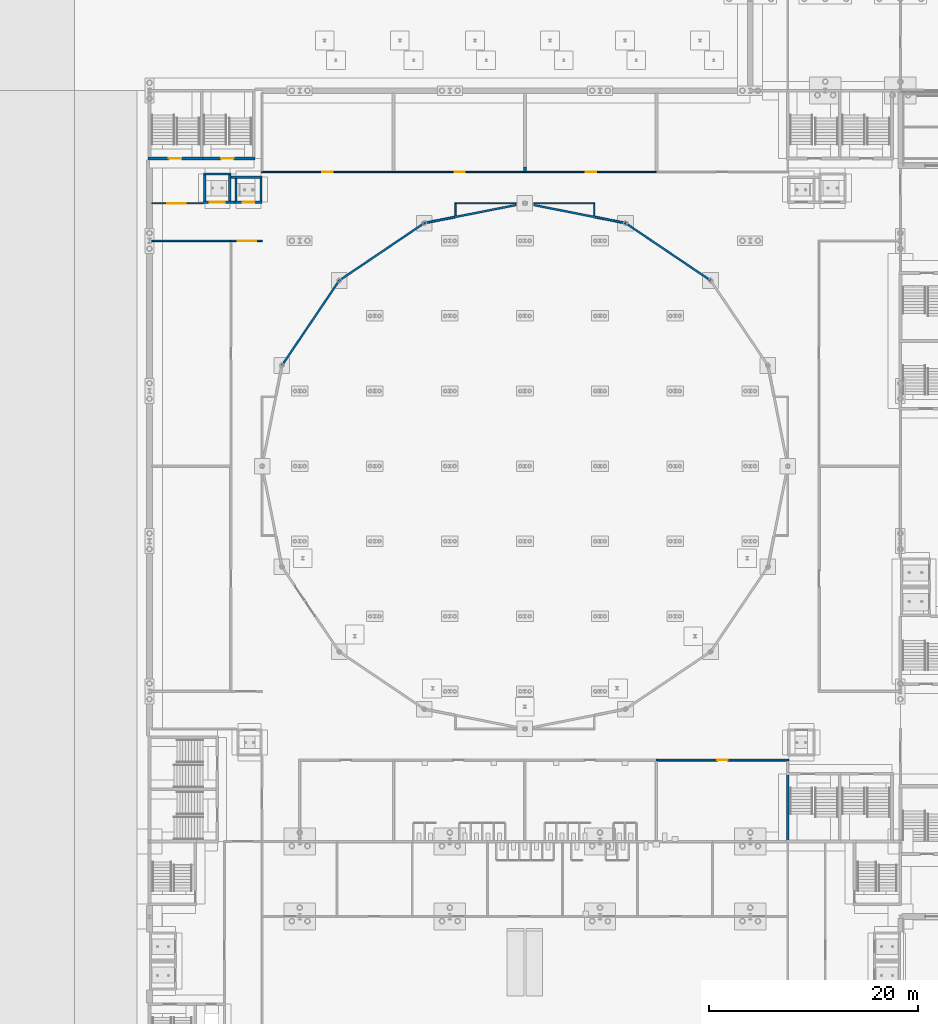
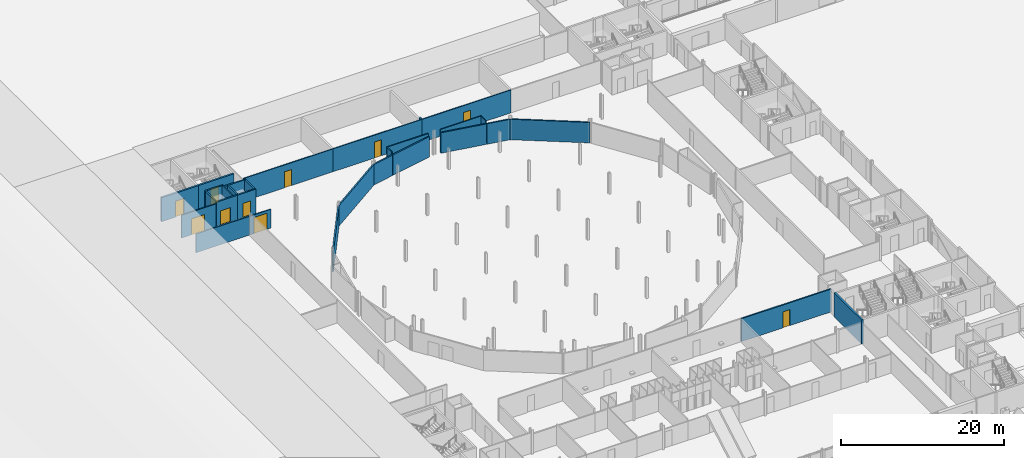
# One storey, part 82 of 148: 30 walls, 10 doors, 10 openings.
"""IFC4 building model written with IfcOpenShell, lengths in metres."""

from ifc_helpers import new_model, si_unit, direction, frame, frame_2d, origin, place, context, subcontext, project, spatial, rectangle, extrude, material, layer, layer_set, type_object, element, fill, save


model = new_model("IFC4")

# Units and contexts
model_context = context("Model", 3, precision=1e-05, world=origin(), true_north=direction((0.0, 1.0)))
body_context = subcontext(model_context, "Body", "Model", "MODEL_VIEW")
ifc_project = project(units=[si_unit("LENGTHUNIT", "METRE"), si_unit("AREAUNIT", "SQUARE_METRE"), si_unit("VOLUMEUNIT", "CUBIC_METRE"), si_unit("PLANEANGLEUNIT", "RADIAN"), si_unit("MASSUNIT", "GRAM", prefix="KILO")], contexts=[model_context])

# Site, building, storey
site_placement = place(None, origin())
site = spatial("IfcSite", under=ifc_project, at=site_placement, CompositionType="ELEMENT")
building_placement = place(site_placement, origin())
building = spatial("IfcBuilding", under=site, at=building_placement, Name="Kupolbacken Congress Centre", CompositionType="ELEMENT")
storey_placement = place(building_placement, origin())
storey = spatial("IfcBuildingStorey", under=building, at=storey_placement, Name="L00", CompositionType="ELEMENT", Elevation=0.0)

# Wall, opening, door
ifc_material_1 = material(Name="Gypsum board", Category="drywall")
ifc_layer_1 = layer(ifc_material_1, 0.135009765625)
ifc_layer_set_1 = layer_set([ifc_layer_1], Name="Gypsum board")
wall_type_1 = type_object("IfcWallType", Name="P06 compartment wall 135", PredefinedType="PARTITIONING", material=ifc_layer_set_1)
wall_1_placement = place(storey_placement, frame((12.340087890625, 111.60009765625, 0.0), z_axis=(0.0, 0.0, 1.0), x_axis=(-1.0, 0.0, 0.0)))
wall_1 = element("IfcWall", 1, at=wall_1_placement, inside=storey, type_object=wall_type_1, Name="PD/L00/W009", PredefinedType="PARTITIONING", context=body_context, shape_type="SweptSolid", body=[
    extrude(rectangle(XDim=4.920166015625, YDim=0.135009765625, at=frame_2d((2.4599609375, 0.0))), origin(), (0.0, 0.0, 1.0), 3.419921875),
])
opening_1_placement = place(wall_1_placement, frame((1.64990234375, 0.0, 0.0)))
opening_1 = element("IfcOpeningElement", 2, at=opening_1_placement, cuts=wall_1, Name="Opening 0.P26", PredefinedType="OPENING", context=body_context, shape_type="SweptSolid", body=[
    extrude(rectangle(XDim=1.800048828125, YDim=2.39990234375, at=frame_2d((0.89990234375, 1.199951171875))), frame((0.0, 0.077392578125, 0.0), z_axis=(0.0, -1.0, 0.0), x_axis=(1.0, 0.0, 0.0)), (0.0, 0.0, 1.0), 0.155029296875),
])
ifc_material_2 = material(Name="Steel fire door leaf", Category="steel")
door_type_1 = type_object("IfcDoorType", Name="D15 fire door 1800x2400", OperationType="DOUBLE_DOOR_SINGLE_SWING", PredefinedType="DOOR", material=ifc_material_2)
door_1_placement = place(opening_1_placement, origin())
door_1 = element("IfcDoor", 3, at=door_1_placement, inside=storey, type_object=door_type_1, Name="PD/L00/W009/D0P26", OperationType="DOUBLE_DOOR_SINGLE_SWING", OverallHeight=2.39990234375, OverallWidth=1.800048828125, PredefinedType="DOOR", context=body_context, shape_type="SweptSolid", body=[
    extrude(rectangle(XDim=1.800048828125, YDim=2.39990234375, at=frame_2d((0.89990234375, 1.199951171875))), frame((0.0, 0.02490234375, 0.0), z_axis=(0.0, -1.0, 0.0), x_axis=(1.0, 0.0, 0.0)), (0.0, 0.0, 1.0), 0.050048828125),
])
fill(opening_1, door_1)

# Wall
wall_2_placement = place(storey_placement, frame((7.419921875, 108.0, 0.0), z_axis=(0.0, 0.0, 1.0), x_axis=(1.0, 0.0, 0.0)))
element("IfcWall", 4, at=wall_2_placement, inside=storey, type_object=wall_type_1, Name="PD/L00/W083", PredefinedType="PARTITIONING", context=body_context, shape_type="SweptSolid", body=[
    extrude(rectangle(XDim=7.580078125, YDim=0.135009765625, at=frame_2d((3.7900390625, 0.0))), origin(), (0.0, 0.0, 1.0), 2.81005859375),
])

# Wall, opening, door
wall_3_placement = place(storey_placement, frame((30.60009765625, 114.60009765625, 0.0), z_axis=(0.0, 0.0, 1.0), x_axis=(-1.0, 0.0, 0.0)))
wall_3 = element("IfcWall", 5, at=wall_3_placement, inside=storey, type_object=wall_type_1, Name="PD/L00/W086", PredefinedType="PARTITIONING", context=body_context, shape_type="SweptSolid", body=[
    extrude(rectangle(XDim=12.66748046875, YDim=0.135009765625, at=frame_2d((6.333740234375, 0.0))), origin(), (0.0, 0.0, 1.0), 3.419921875),
])
opening_2_placement = place(wall_3_placement, frame((5.85009765625, 0.0, 0.0)))
opening_2 = element("IfcOpeningElement", 6, at=opening_2_placement, cuts=wall_3, Name="Opening 0.P13", PredefinedType="OPENING", context=body_context, shape_type="SweptSolid", body=[
    extrude(rectangle(XDim=1.0, YDim=2.39990234375, at=frame_2d((0.5, 1.199951171875))), frame((0.0, 0.077392578125, 0.0), z_axis=(0.0, -1.0, 0.0), x_axis=(1.0, 0.0, 0.0)), (0.0, 0.0, 1.0), 0.155029296875),
])
ifc_material_3 = material(Name="Steel fire door leaf", Category="steel")
door_type_2 = type_object("IfcDoorType", Name="D8 fire door 1000x2400", OperationType="SINGLE_SWING_LEFT", PredefinedType="DOOR", material=ifc_material_3)
door_2_placement = place(opening_2_placement, frame((1.0, 0.0, 0.0), z_axis=(0.0, 0.0, 1.0), x_axis=(-1.0, 0.0, 0.0)))
door_2 = element("IfcDoor", 7, at=door_2_placement, inside=storey, type_object=door_type_2, Name="PD/L00/W086/D0P13", OperationType="SINGLE_SWING_LEFT", OverallHeight=2.39990234375, OverallWidth=1.0, PredefinedType="DOOR", context=body_context, shape_type="SweptSolid", body=[
    extrude(rectangle(XDim=1.0, YDim=2.39990234375, at=frame_2d((0.5, 1.199951171875))), frame((0.0, 0.02490234375, 0.0), z_axis=(0.0, -1.0, 0.0), x_axis=(1.0, 0.0, 0.0)), (0.0, 0.0, 1.0), 0.050048828125),
])
fill(opening_2, door_2)

wall_4_placement = place(storey_placement, frame((43.199951171875, 114.60009765625, 0.0), z_axis=(0.0, 0.0, 1.0), x_axis=(-1.0, 0.0, 0.0)))
wall_4 = element("IfcWall", 8, at=wall_4_placement, inside=storey, type_object=wall_type_1, Name="PD/L00/W088", PredefinedType="PARTITIONING", context=body_context, shape_type="SweptSolid", body=[
    extrude(rectangle(XDim=12.599853515625, YDim=0.135009765625, at=frame_2d((6.2998046875, 0.0))), origin(), (0.0, 0.0, 1.0), 3.419921875),
])
opening_3_placement = place(wall_4_placement, frame((5.75, 0.0, 0.0)))
opening_3 = element("IfcOpeningElement", 9, at=opening_3_placement, cuts=wall_4, Name="Opening 0.P14", PredefinedType="OPENING", context=body_context, shape_type="SweptSolid", body=[
    extrude(rectangle(XDim=1.0, YDim=2.39990234375, at=frame_2d((0.5, 1.199951171875))), frame((0.0, 0.077392578125, 0.0), z_axis=(0.0, -1.0, 0.0), x_axis=(1.0, 0.0, 0.0)), (0.0, 0.0, 1.0), 0.155029296875),
])
door_3_placement = place(opening_3_placement, frame((1.0, 0.0, 0.0), z_axis=(0.0, 0.0, 1.0), x_axis=(-1.0, 0.0, 0.0)))
door_3 = element("IfcDoor", 10, at=door_3_placement, inside=storey, type_object=door_type_2, Name="PD/L00/W088/D0P14", OperationType="SINGLE_SWING_LEFT", OverallHeight=2.39990234375, OverallWidth=1.0, PredefinedType="DOOR", context=body_context, shape_type="SweptSolid", body=[
    extrude(rectangle(XDim=1.0, YDim=2.39990234375, at=frame_2d((0.5, 1.199951171875))), frame((0.0, 0.02490234375, 0.0), z_axis=(0.0, -1.0, 0.0), x_axis=(1.0, 0.0, 0.0)), (0.0, 0.0, 1.0), 0.050048828125),
])
fill(opening_3, door_3)

wall_5_placement = place(storey_placement, frame((55.800048828125, 114.60009765625, 0.0), z_axis=(0.0, 0.0, 1.0), x_axis=(-1.0, 0.0, 0.0)))
wall_5 = element("IfcWall", 11, at=wall_5_placement, inside=storey, type_object=wall_type_1, Name="PD/L00/W090", PredefinedType="PARTITIONING", context=body_context, shape_type="SweptSolid", body=[
    extrude(rectangle(XDim=12.60009765625, YDim=0.135009765625, at=frame_2d((6.300048828125, 0.0))), origin(), (0.0, 0.0, 1.0), 3.419921875),
])
opening_4_placement = place(wall_5_placement, frame((5.75, 0.0, 0.0)))
opening_4 = element("IfcOpeningElement", 12, at=opening_4_placement, cuts=wall_5, Name="Opening 0.P15", PredefinedType="OPENING", context=body_context, shape_type="SweptSolid", body=[
    extrude(rectangle(XDim=1.0, YDim=2.39990234375, at=frame_2d((0.5, 1.199951171875))), frame((0.0, 0.077392578125, 0.0), z_axis=(0.0, -1.0, 0.0), x_axis=(1.0, 0.0, 0.0)), (0.0, 0.0, 1.0), 0.155029296875),
])
door_4_placement = place(opening_4_placement, frame((1.0, 0.0, 0.0), z_axis=(0.0, 0.0, 1.0), x_axis=(-1.0, 0.0, 0.0)))
door_4 = element("IfcDoor", 13, at=door_4_placement, inside=storey, type_object=door_type_2, Name="PD/L00/W090/D0P15", OperationType="SINGLE_SWING_RIGHT", OverallHeight=2.39990234375, OverallWidth=1.0, PredefinedType="DOOR", context=body_context, shape_type="SweptSolid", body=[
    extrude(rectangle(XDim=1.0, YDim=2.39990234375, at=frame_2d((0.5, 1.199951171875))), frame((0.0, 0.02490234375, 0.0), z_axis=(0.0, -1.0, 0.0), x_axis=(1.0, 0.0, 0.0)), (0.0, 0.0, 1.0), 0.050048828125),
])
fill(opening_4, door_4)

wall_6_placement = place(storey_placement, frame((18.0, 108.0, 0.0), z_axis=(0.0, 0.0, 1.0), x_axis=(-1.0, 0.0, 0.0)))
wall_6 = element("IfcWall", 14, at=wall_6_placement, inside=storey, type_object=wall_type_1, Name="PD/L00/W106", PredefinedType="PARTITIONING", context=body_context, shape_type="SweptSolid", body=[
    extrude(rectangle(XDim=3.0, YDim=0.135009765625, at=frame_2d((1.5, 0.0))), origin(), (0.0, 0.0, 1.0), 2.81005859375),
])
opening_5_placement = place(wall_6_placement, frame((0.550048828125, 0.0, 0.0)))
opening_5 = element("IfcOpeningElement", 15, at=opening_5_placement, cuts=wall_6, Name="Opening 0.P27", PredefinedType="OPENING", context=body_context, shape_type="SweptSolid", body=[
    extrude(rectangle(XDim=1.800048828125, YDim=2.39990234375, at=frame_2d((0.89990234375, 1.199951171875))), frame((0.0, 0.077392578125, 0.0), z_axis=(0.0, -1.0, 0.0), x_axis=(1.0, 0.0, 0.0)), (0.0, 0.0, 1.0), 0.155029296875),
])
door_5_placement = place(opening_5_placement, origin())
door_5 = element("IfcDoor", 16, at=door_5_placement, inside=storey, type_object=door_type_1, Name="PD/L00/W106/D0P27", OperationType="DOUBLE_DOOR_SINGLE_SWING", OverallHeight=2.39990234375, OverallWidth=1.800048828125, PredefinedType="DOOR", context=body_context, shape_type="SweptSolid", body=[
    extrude(rectangle(XDim=1.800048828125, YDim=2.39990234375, at=frame_2d((0.89990234375, 1.199951171875))), frame((0.0, 0.02490234375, 0.0), z_axis=(0.0, -1.0, 0.0), x_axis=(1.0, 0.0, 0.0)), (0.0, 0.0, 1.0), 0.050048828125),
])
fill(opening_5, door_5)

# Walls
wall_7_placement = place(storey_placement, frame((42.35009765625, 111.60009765625, 0.0), z_axis=(0.0, 0.0, 1.0), x_axis=(-1.0, 0.0, 0.0)))
element("IfcWall", 17, at=wall_7_placement, inside=storey, type_object=wall_type_1, Name="PD/L00/W109", PredefinedType="PARTITIONING", context=body_context, shape_type="SweptSolid", body=[
    extrude(rectangle(XDim=5.86767578125, YDim=0.135009765625, at=frame_2d((2.933837890625, 0.0))), origin(), (0.0, 0.0, 1.0), 3.419921875),
])
wall_8_placement = place(storey_placement, frame((49.91748046875, 111.60009765625, 0.0), z_axis=(0.0, 0.0, 1.0), x_axis=(-1.0, 0.0, 0.0)))
element("IfcWall", 18, at=wall_8_placement, inside=storey, type_object=wall_type_1, Name="PD/L00/W110", PredefinedType="PARTITIONING", context=body_context, shape_type="SweptSolid", body=[
    extrude(rectangle(XDim=5.867431640625, YDim=0.135009765625, at=frame_2d((2.93359375, 0.0))), origin(), (0.0, 0.0, 1.0), 3.419921875),
])
for number, where, z_axis, x_axis, name in (
    (19, (36.550048828125, 111.532470703125, 0.0), (0.0, 0.0, 1.0), (0.0, -1.0, 0.0), "PD/L00/W119"),
    (20, (49.85009765625, 110.3857421875, 0.0), (0.0, 0.0, 1.0), (0.0, 1.0, 0.0), "PD/L00/W122"),
):
    element("IfcWall", number, at=place(storey_placement, frame(where, z_axis=z_axis, x_axis=x_axis)), inside=storey, type_object=wall_type_1, Name=name, PredefinedType="PARTITIONING", context=body_context, shape_type="SweptSolid", body=[
        extrude(rectangle(XDim=1.146728515625, YDim=0.135009765625, at=frame_2d((0.5732421875, 0.0))), origin(), (0.0, 0.0, 1.0), 3.419921875),
    ])
ifc_material_4 = material(Name="Gypsum board", Category="drywall")
ifc_layer_2 = layer(ifc_material_4, 0.18994140625)
ifc_layer_set_2 = layer_set([ifc_layer_2], Name="Gypsum board")
wall_type_2 = type_object("IfcWallType", Name="P10 partition 190", PredefinedType="PARTITIONING", material=ifc_layer_set_2)
wall_9_placement = place(storey_placement, frame((19.89990234375, 96.050048828125, 0.0), z_axis=(0.0, 0.0, 1.0), x_axis=(0.559390118145, 0.828904515443, 0.0)))
element("IfcWall", 21, at=wall_9_placement, inside=storey, type_object=wall_type_2, Name="PD/L00/W069", PredefinedType="PARTITIONING", context=body_context, shape_type="SweptSolid", body=[
    extrude(rectangle(XDim=9.83203125, YDim=0.18994140625, at=frame_2d((4.916015625, 0.0))), origin(), (0.0, 0.0, 1.0), 3.06005859375),
])
wall_10_placement = place(storey_placement, frame((25.39990234375, 104.199951171875, 0.0), z_axis=(0.0, 0.0, 1.0), x_axis=(0.828912285216, 0.559378604719, 0.0)))
element("IfcWall", 22, at=wall_10_placement, inside=storey, type_object=wall_type_2, Name="PD/L00/W070", PredefinedType="PARTITIONING", context=body_context, shape_type="SweptSolid", body=[
    extrude(rectangle(XDim=9.832275390625, YDim=0.18994140625, at=frame_2d((4.916015625, 0.0))), origin(), (0.0, 0.0, 1.0), 3.06005859375),
])
wall_11_placement = place(storey_placement, frame((33.550048828125, 109.699951171875, 0.0), z_axis=(0.0, 0.0, 1.0), x_axis=(0.98116351696, 0.193179069745, 0.0)))
element("IfcWall", 23, at=wall_11_placement, inside=storey, type_object=wall_type_2, Name="PD/L00/W071", PredefinedType="PARTITIONING", context=body_context, shape_type="SweptSolid", body=[
    extrude(rectangle(XDim=2.990234375, YDim=0.18994140625, at=frame_2d((1.4951171875, 0.0))), origin(), (0.0, 0.0, 1.0), 3.06005859375),
])
wall_12_placement = place(storey_placement, frame((36.550048828125, 110.290771484375, 0.0), z_axis=(0.0, 0.0, 1.0), x_axis=(0.981165545066, 0.193168768632, 0.0)))
element("IfcWall", 24, at=wall_12_placement, inside=storey, type_object=wall_type_2, Name="PD/L00/W072", PredefinedType="PARTITIONING", context=body_context, shape_type="SweptSolid", body=[
    extrude(rectangle(XDim=5.927490234375, YDim=0.18994140625, at=frame_2d((2.9638671875, 0.0))), origin(), (0.0, 0.0, 1.0), 3.06005859375),
])
wall_13_placement = place(storey_placement, frame((49.916259765625, 110.277587890625, 0.0), z_axis=(0.0, 0.0, 1.0), x_axis=(0.98116351696, -0.193179069745, 0.0)))
element("IfcWall", 25, at=wall_13_placement, inside=storey, type_object=wall_type_2, Name="PD/L00/W074", PredefinedType="PARTITIONING", context=body_context, shape_type="SweptSolid", body=[
    extrude(rectangle(XDim=2.990234375, YDim=0.18994140625, at=frame_2d((1.4951171875, 0.0))), origin(), (0.0, 0.0, 1.0), 3.06005859375),
])
wall_14_placement = place(storey_placement, frame((52.85009765625, 109.699951171875, 0.0), z_axis=(0.0, 0.0, 1.0), x_axis=(0.828904515443, -0.559390118145, 0.0)))
element("IfcWall", 26, at=wall_14_placement, inside=storey, type_object=wall_type_2, Name="PD/L00/W075", PredefinedType="PARTITIONING", context=body_context, shape_type="SweptSolid", body=[
    extrude(rectangle(XDim=9.83203125, YDim=0.18994140625, at=frame_2d((4.916015625, 0.0))), origin(), (0.0, 0.0, 1.0), 3.06005859375),
])
wall_15_placement = place(storey_placement, frame((44.033935546875, 111.435791015625, 0.0), z_axis=(0.0, 0.0, 1.0), x_axis=(0.981167081846, -0.193160962677, 0.0)))
element("IfcWall", 27, at=wall_15_placement, inside=storey, type_object=wall_type_2, Name="PD/L00/W079", PredefinedType="PARTITIONING", context=body_context, shape_type="SweptSolid", body=[
    extrude(rectangle(XDim=5.927734375, YDim=0.18994140625, at=frame_2d((2.9638671875, 0.0))), origin(), (0.0, 0.0, 1.0), 3.06005859375),
])

# Wall, opening, door
wall_16_placement = place(storey_placement, frame((55.800048828125, 58.199951171875, 0.0), z_axis=(0.0, 0.0, 1.0), x_axis=(1.0, 0.0, 0.0)))
wall_16 = element("IfcWall", 28, at=wall_16_placement, inside=storey, type_object=wall_type_2, Name="PD/L00/W104", PredefinedType="PARTITIONING", context=body_context, shape_type="SweptSolid", body=[
    extrude(rectangle(XDim=12.695068359375, YDim=0.18994140625, at=frame_2d((6.34765625, 0.0))), origin(), (0.0, 0.0, 1.0), 3.419921875),
])
opening_6_placement = place(wall_16_placement, frame((5.85009765625, 0.0, 0.0)))
opening_6 = element("IfcOpeningElement", 29, at=opening_6_placement, cuts=wall_16, Name="Opening 0.P22", PredefinedType="OPENING", context=body_context, shape_type="SweptSolid", body=[
    extrude(rectangle(XDim=1.0, YDim=2.39990234375, at=frame_2d((0.5, 1.199951171875))), frame((0.0, 0.10498046875, 0.0), z_axis=(0.0, -1.0, 0.0), x_axis=(1.0, 0.0, 0.0)), (0.0, 0.0, 1.0), 0.2099609375),
])
door_6_placement = place(opening_6_placement, frame((1.0, 0.0, 0.0), z_axis=(0.0, 0.0, 1.0), x_axis=(-1.0, 0.0, 0.0)))
door_6 = element("IfcDoor", 30, at=door_6_placement, inside=storey, type_object=door_type_2, Name="PD/L00/W104/D0P22", OperationType="SINGLE_SWING_LEFT", OverallHeight=2.39990234375, OverallWidth=1.0, PredefinedType="DOOR", context=body_context, shape_type="SweptSolid", body=[
    extrude(rectangle(XDim=1.0, YDim=2.39990234375, at=frame_2d((0.5, 1.199951171875))), frame((0.0, 0.02490234375, 0.0), z_axis=(0.0, -1.0, 0.0), x_axis=(1.0, 0.0, 0.0)), (0.0, 0.0, 1.0), 0.050048828125),
])
fill(opening_6, door_6)

# Wall
ifc_material_5 = material(Name="Gypsum board", Category="drywall")
ifc_layer_3 = layer(ifc_material_5, 0.27490234375)
ifc_layer_set_3 = layer_set([ifc_layer_3], Name="Gypsum board")
wall_type_3 = type_object("IfcWallType", Name="P12 partition 275", PredefinedType="PARTITIONING", material=ifc_layer_set_3)
wall_17_placement = place(storey_placement, frame((43.199951171875, 115.090087890625, 0.0), z_axis=(0.0, 0.0, 1.0), x_axis=(0.0, -1.0, 0.0)))
element("IfcWall", 31, at=wall_17_placement, inside=storey, type_object=wall_type_3, Name="PD/L00/W087.h1", PredefinedType="PARTITIONING", context=body_context, shape_type="SweptSolid", body=[
    extrude(rectangle(XDim=0.422607421875, YDim=0.27490234375, at=frame_2d((0.21142578125, 0.0))), origin(), (0.0, 0.0, 1.0), 3.419921875),
])

# Wall, opening, door
ifc_material_6 = material(Name="Concrete C40/50", Category="concrete")
ifc_layer_4 = layer(ifc_material_6, 0.199951171875)
ifc_layer_set_4 = layer_set([ifc_layer_4], Name="Concrete C40/50")
wall_type_4 = type_object("IfcWallType", Name="WC1 RC shaft wall 200", PredefinedType="SHEAR", material=ifc_layer_set_4)
wall_18_placement = place(storey_placement, frame((15.39990234375, 111.699951171875, -1.39990234375), z_axis=(0.0, 0.0, 1.0), x_axis=(1.0, 0.0, 0.0)))
wall_18 = element("IfcWall", 32, at=wall_18_placement, inside=storey, type_object=wall_type_4, Name="Shaft wall LP7", PredefinedType="SHEAR", context=body_context, shape_type="SweptSolid", body=[
    extrude(rectangle(XDim=2.60009765625, YDim=0.199951171875, at=frame_2d((1.300048828125, 0.0))), origin(), (0.0, 0.0, 1.0), 5.0),
])
opening_7_placement = place(wall_18_placement, frame((0.75, 0.0, 1.39990234375)))
opening_7 = element("IfcOpeningElement", 33, at=opening_7_placement, cuts=wall_18, Name="Opening LD2", PredefinedType="OPENING", context=body_context, shape_type="SweptSolid", body=[
    extrude(rectangle(XDim=1.10009765625, YDim=2.10009765625, at=frame_2d((0.550048828125, 1.050048828125))), frame((0.0, 0.10986328125, 0.0), z_axis=(0.0, -1.0, 0.0), x_axis=(1.0, 0.0, 0.0)), (0.0, 0.0, 1.0), 0.219970703125),
])
ifc_material_7 = material(Name="Stainless steel door leaf", Category="steel")
door_type_3 = type_object("IfcDoorType", Name="LD2 lift landing door 1100x2100", OperationType="SLIDING_TO_LEFT", PredefinedType="DOOR", material=ifc_material_7)
door_7_placement = place(opening_7_placement, origin())
door_7 = element("IfcDoor", 34, at=door_7_placement, inside=storey, type_object=door_type_3, Name="Lift landing door LP7", OperationType="SLIDING_TO_LEFT", OverallHeight=2.10009765625, OverallWidth=1.10009765625, PredefinedType="DOOR", context=body_context, shape_type="SweptSolid", body=[
    extrude(rectangle(XDim=1.10009765625, YDim=2.10009765625, at=frame_2d((0.550048828125, 1.050048828125))), frame((0.0, 0.02490234375, 0.0), z_axis=(0.0, -1.0, 0.0), x_axis=(1.0, 0.0, 0.0)), (0.0, 0.0, 1.0), 0.050048828125),
])
fill(opening_7, door_7)

# Walls
wall_19_placement = place(storey_placement, frame((15.0, 114.10009765625, -1.39990234375), z_axis=(0.0, 0.0, 1.0), x_axis=(1.0, 0.0, 0.0)))
element("IfcWall", 35, at=wall_19_placement, inside=storey, type_object=wall_type_4, Name="Shaft wall LP7", PredefinedType="SHEAR", context=body_context, shape_type="SweptSolid", body=[
    extrude(rectangle(XDim=3.0, YDim=0.199951171875, at=frame_2d((1.5, 0.0))), origin(), (0.0, 0.0, 1.0), 5.0),
])
for number, where, z_axis, x_axis, name in (
    (36, (15.5, 111.800048828125, -1.39990234375), (0.0, 0.0, 1.0), (0.0, 1.0, 0.0), "Shaft wall LP7"),
    (37, (17.89990234375, 111.800048828125, -1.39990234375), (0.0, 0.0, 1.0), (0.0, 1.0, 0.0), "Shaft wall LP7"),
):
    element("IfcWall", number, at=place(storey_placement, frame(where, z_axis=z_axis, x_axis=x_axis)), inside=storey, type_object=wall_type_4, Name=name, PredefinedType="SHEAR", context=body_context, shape_type="SweptSolid", body=[
        extrude(rectangle(XDim=2.199951171875, YDim=0.199951171875, at=frame_2d((1.10009765625, 0.0))), origin(), (0.0, 0.0, 1.0), 5.0),
    ])

# Wall, opening, door
wall_20_placement = place(storey_placement, frame((12.39990234375, 111.699951171875, -1.39990234375), z_axis=(0.0, 0.0, 1.0), x_axis=(1.0, 0.0, 0.0)))
wall_20 = element("IfcWall", 38, at=wall_20_placement, inside=storey, type_object=wall_type_4, Name="Shaft wall LG1", PredefinedType="SHEAR", context=body_context, shape_type="SweptSolid", body=[
    extrude(rectangle(XDim=3.0, YDim=0.199951171875, at=frame_2d((1.5, 0.0))), origin(), (0.0, 0.0, 1.0), 5.0),
])
opening_8_placement = place(wall_20_placement, frame((0.60009765625, 0.0, 1.39990234375)))
opening_8 = element("IfcOpeningElement", 39, at=opening_8_placement, cuts=wall_20, Name="Opening LD3", PredefinedType="OPENING", context=body_context, shape_type="SweptSolid", body=[
    extrude(rectangle(XDim=1.39990234375, YDim=2.10009765625, at=frame_2d((0.699951171875, 1.050048828125))), frame((0.0, 0.10986328125, 0.0), z_axis=(0.0, -1.0, 0.0), x_axis=(1.0, 0.0, 0.0)), (0.0, 0.0, 1.0), 0.219970703125),
])
ifc_material_8 = material(Name="Stainless steel door leaf", Category="steel")
door_type_4 = type_object("IfcDoorType", Name="LD3 lift landing door 1400x2100", OperationType="SLIDING_TO_LEFT", PredefinedType="DOOR", material=ifc_material_8)
door_8_placement = place(opening_8_placement, origin())
door_8 = element("IfcDoor", 40, at=door_8_placement, inside=storey, type_object=door_type_4, Name="Lift landing door LG1", OperationType="SLIDING_TO_LEFT", OverallHeight=2.10009765625, OverallWidth=1.39990234375, PredefinedType="DOOR", context=body_context, shape_type="SweptSolid", body=[
    extrude(rectangle(XDim=1.39990234375, YDim=2.10009765625, at=frame_2d((0.699951171875, 1.050048828125))), frame((0.0, 0.02490234375, 0.0), z_axis=(0.0, -1.0, 0.0), x_axis=(1.0, 0.0, 0.0)), (0.0, 0.0, 1.0), 0.050048828125),
])
fill(opening_8, door_8)

# Walls
wall_21_placement = place(storey_placement, frame((12.39990234375, 114.39990234375, -1.39990234375), z_axis=(0.0, 0.0, 1.0), x_axis=(1.0, 0.0, 0.0)))
element("IfcWall", 41, at=wall_21_placement, inside=storey, type_object=wall_type_4, Name="Shaft wall LG1", PredefinedType="SHEAR", context=body_context, shape_type="SweptSolid", body=[
    extrude(rectangle(XDim=2.60009765625, YDim=0.199951171875, at=frame_2d((1.300048828125, 0.0))), origin(), (0.0, 0.0, 1.0), 5.0),
])
for number, where, z_axis, x_axis, name in (
    (42, (12.5, 111.800048828125, -1.39990234375), (0.0, 0.0, 1.0), (0.0, 1.0, 0.0), "Shaft wall LG1"),
    (43, (14.89990234375, 111.800048828125, -1.39990234375), (0.0, 0.0, 1.0), (0.0, 1.0, 0.0), "Shaft wall LG1"),
):
    element("IfcWall", number, at=place(storey_placement, frame(where, z_axis=z_axis, x_axis=x_axis)), inside=storey, type_object=wall_type_4, Name=name, PredefinedType="SHEAR", context=body_context, shape_type="SweptSolid", body=[
        extrude(rectangle(XDim=2.5, YDim=0.199951171875, at=frame_2d((1.25, 0.0))), origin(), (0.0, 0.0, 1.0), 5.0),
    ])
ifc_material_9 = material(Name="Concrete C40/50", Category="concrete")
ifc_layer_5 = layer(ifc_material_9, 0.25)
ifc_layer_set_5 = layer_set([ifc_layer_5], Name="Concrete C40/50")
wall_type_5 = type_object("IfcWallType", Name="WC2 RC stair enclosure wall 250", PredefinedType="SHEAR", material=ifc_layer_set_5)
wall_22_placement = place(storey_placement, frame((68.39990234375, 57.02490234375, 0.0), z_axis=(0.0, 0.0, 1.0), x_axis=(0.0, -1.0, 0.0)))
element("IfcWall", 44, at=wall_22_placement, inside=storey, type_object=wall_type_5, Name="Stair enclosure wall L00-040", PredefinedType="SHEAR", context=body_context, shape_type="SweptSolid", body=[
    extrude(rectangle(XDim=6.75, YDim=0.25, at=frame_2d((3.375, 0.0))), origin(), (0.0, 0.0, 1.0), 3.60009765625),
])

# Wall, opening, door
wall_23_placement = place(storey_placement, frame((7.074951171875, 115.89990234375, 0.0), z_axis=(0.0, 0.0, 1.0), x_axis=(1.0, 0.0, 0.0)))
wall_23 = element("IfcWall", 45, at=wall_23_placement, inside=storey, type_object=wall_type_5, Name="Stair enclosure wall L00-064", PredefinedType="SHEAR", context=body_context, shape_type="SweptSolid", body=[
    extrude(rectangle(XDim=5.25, YDim=0.25, at=frame_2d((2.625, 0.0))), origin(), (0.0, 0.0, 1.0), 3.60009765625),
])
opening_9_placement = place(wall_23_placement, frame((1.97509765625, 0.0, 0.0)))
opening_9 = element("IfcOpeningElement", 46, at=opening_9_placement, cuts=wall_23, Name="Opening 0.P05", PredefinedType="OPENING", context=body_context, shape_type="SweptSolid", body=[
    extrude(rectangle(XDim=1.199951171875, YDim=2.39990234375, at=frame_2d((0.60009765625, 1.199951171875))), frame((0.0, 0.135009765625, 0.0), z_axis=(0.0, -1.0, 0.0), x_axis=(1.0, 0.0, 0.0)), (0.0, 0.0, 1.0), 0.27001953125),
])
ifc_material_10 = material(Name="Steel fire door leaf", Category="steel")
door_type_5 = type_object("IfcDoorType", Name="D9 fire door 1200x2400", OperationType="SINGLE_SWING_LEFT", PredefinedType="DOOR", material=ifc_material_10)
door_9_placement = place(opening_9_placement, origin())
door_9 = element("IfcDoor", 47, at=door_9_placement, inside=storey, type_object=door_type_5, Name="S/core/L00/064/D0P05", OperationType="SINGLE_SWING_RIGHT", OverallHeight=2.39990234375, OverallWidth=1.199951171875, PredefinedType="DOOR", context=body_context, shape_type="SweptSolid", body=[
    extrude(rectangle(XDim=1.199951171875, YDim=2.39990234375, at=frame_2d((0.60009765625, 1.199951171875))), frame((0.0, 0.02490234375, 0.0), z_axis=(0.0, -1.0, 0.0), x_axis=(1.0, 0.0, 0.0)), (0.0, 0.0, 1.0), 0.050048828125),
])
fill(opening_9, door_9)

wall_24_placement = place(storey_placement, frame((12.324951171875, 115.89990234375, 0.0), z_axis=(0.0, 0.0, 1.0), x_axis=(1.0, 0.0, 0.0)))
wall_24 = element("IfcWall", 48, at=wall_24_placement, inside=storey, type_object=wall_type_5, Name="Stair enclosure wall L00-065", PredefinedType="SHEAR", context=body_context, shape_type="SweptSolid", body=[
    extrude(rectangle(XDim=5.0, YDim=0.25, at=frame_2d((2.5, 0.0))), origin(), (0.0, 0.0, 1.0), 3.60009765625),
])
opening_10_placement = place(wall_24_placement, frame((1.75, 0.0, 0.0)))
opening_10 = element("IfcOpeningElement", 49, at=opening_10_placement, cuts=wall_24, Name="Opening 0.P06", PredefinedType="OPENING", context=body_context, shape_type="SweptSolid", body=[
    extrude(rectangle(XDim=1.199951171875, YDim=2.39990234375, at=frame_2d((0.60009765625, 1.199951171875))), frame((0.0, 0.135009765625, 0.0), z_axis=(0.0, -1.0, 0.0), x_axis=(1.0, 0.0, 0.0)), (0.0, 0.0, 1.0), 0.27001953125),
])
door_10_placement = place(opening_10_placement, origin())
door_10 = element("IfcDoor", 50, at=door_10_placement, inside=storey, type_object=door_type_5, Name="S/core/L00/065/D0P06", OperationType="SINGLE_SWING_RIGHT", OverallHeight=2.39990234375, OverallWidth=1.199951171875, PredefinedType="DOOR", context=body_context, shape_type="SweptSolid", body=[
    extrude(rectangle(XDim=1.199951171875, YDim=2.39990234375, at=frame_2d((0.60009765625, 1.199951171875))), frame((0.0, 0.02490234375, 0.0), z_axis=(0.0, -1.0, 0.0), x_axis=(1.0, 0.0, 0.0)), (0.0, 0.0, 1.0), 0.050048828125),
])
fill(opening_10, door_10)

save(model, "model.ifc")
